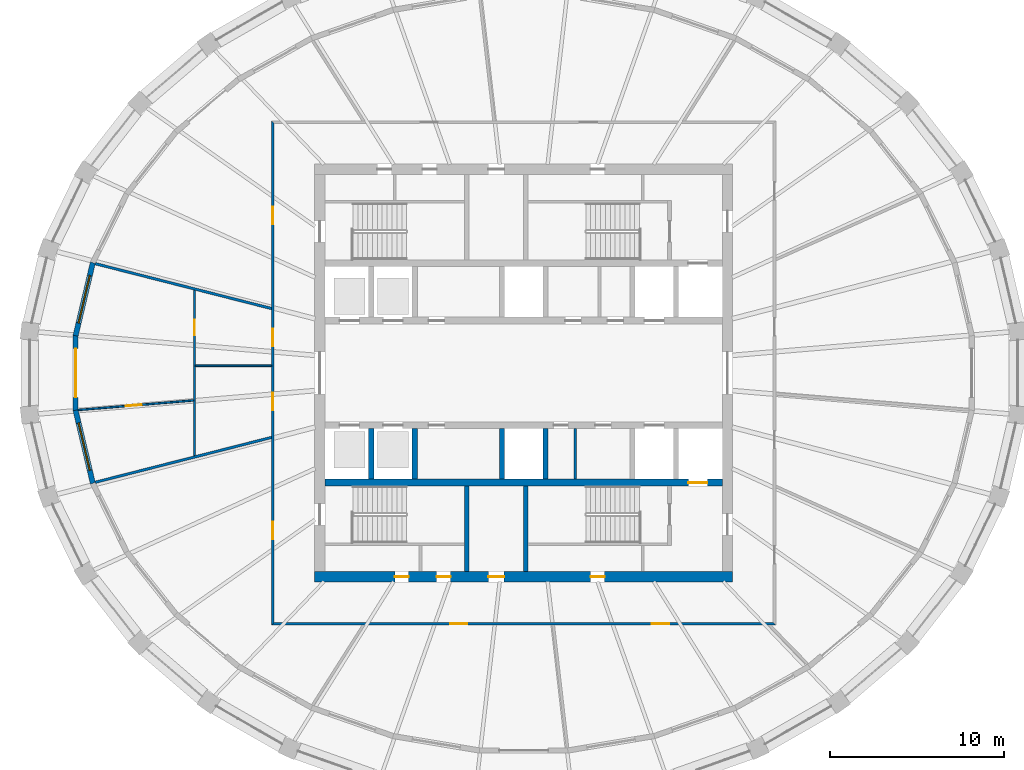
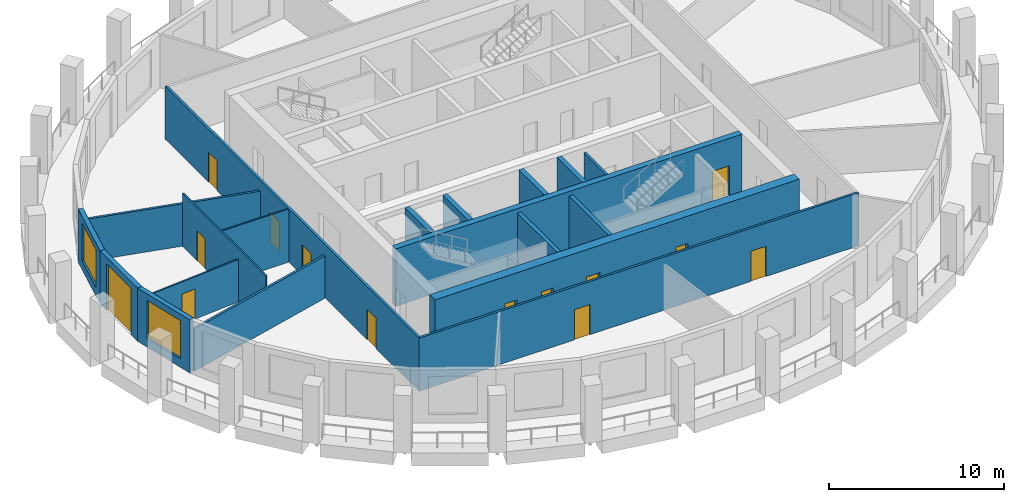
# One storey, part 3 of 10: 19 walls, 14 doors, 2 windows, 16 openings.
"""IFC4 building model written with IfcOpenShell, lengths in metres."""

from ifc_helpers import new_model, si_unit, direction, frame, frame_2d, origin, place, context, subcontext, project, spatial, polyline, rectangle, outline, extrude, material, layer, layer_set, type_object, element, fill, save


model = new_model("IFC4")

# Units and contexts
model_context = context("Model", 3, precision=1e-05, world=origin(), true_north=direction((0.0, 1.0)))
body_context = subcontext(model_context, "Body", "Model", "MODEL_VIEW")
ifc_project = project(units=[si_unit("LENGTHUNIT", "METRE"), si_unit("AREAUNIT", "SQUARE_METRE"), si_unit("VOLUMEUNIT", "CUBIC_METRE"), si_unit("PLANEANGLEUNIT", "RADIAN"), si_unit("MASSUNIT", "GRAM", prefix="KILO")], contexts=[model_context])

# Site, building, storey
site_placement = place(None, origin())
site = spatial("IfcSite", under=ifc_project, at=site_placement, CompositionType="ELEMENT")
building_placement = place(site_placement, origin())
building = spatial("IfcBuilding", under=site, at=building_placement, Name="Halqa Exchange Tower", CompositionType="ELEMENT")
storey_placement = place(building_placement, frame((0.0, 0.0, 320.300048828125)))
storey = spatial("IfcBuildingStorey", under=building, at=storey_placement, Name="L75", CompositionType="ELEMENT", Elevation=320.300048828125)

# Walls
ifc_material_1 = material(Name="Fire-rated gypsum board")
ifc_layer_1 = layer(ifc_material_1, 0.14990234375)
ifc_layer_set_1 = layer_set([ifc_layer_1], Name="Fire-rated gypsum board")
wall_type_1 = type_object("IfcWallType", Name="Fire partition EI 60 150", PredefinedType="PARTITIONING", material=ifc_layer_set_1)
wall_1_placement = place(storey_placement, frame((-24.5927734375, -6.274658203125, 0.0), z_axis=(0.0, 0.0, 1.0), x_axis=(0.969091390687, 0.246701999378, 0.0)))
element("IfcWall", 1, at=wall_1_placement, inside=storey, type_object=wall_type_1, Name="L75-PWL-001", PredefinedType="PARTITIONING", context=body_context, shape_type="SweptSolid", body=[
    extrude(outline(polyline([(0.013427734375, -0.074951171875), (1.748291015625, -0.074951171875), (3.48291015625, -0.074951171875), (5.217529296875, -0.074951171875), (6.9521484375, -0.074951171875), (8.686767578125, -0.074951171875), (10.42138671875, -0.074951171875), (10.459228515625, 0.07373046875), (10.459228515625, 0.074951171875), (8.95458984375, 0.074951171875), (7.44970703125, 0.074951171875), (5.945068359375, 0.074951171875), (5.944580078125, 0.072998046875), (5.9365234375, 0.074951171875), (3.95751953125, 0.074951171875), (1.978759765625, 0.074951171875), (0.0, 0.074951171875), (0.0, -0.010986328125), (0.013427734375, -0.074951171875)])), origin(), (0.0, 0.0, 1.0), 2.947021484375),
])
wall_2_placement = place(storey_placement, frame((-24.5927734375, 6.274658203125, 0.0), z_axis=(0.0, 0.0, 1.0), x_axis=(0.969091390687, -0.246701999378, 0.0)))
element("IfcWall", 2, at=wall_2_placement, inside=storey, type_object=wall_type_1, Name="L75-PWL-002", PredefinedType="PARTITIONING", context=body_context, shape_type="SweptSolid", body=[
    extrude(outline(polyline([(0.0, -0.074951171875), (1.978759765625, -0.074951171875), (3.95751953125, -0.074951171875), (5.9365234375, -0.074951171875), (5.944580078125, -0.072998046875), (5.945068359375, -0.074951171875), (7.44970703125, -0.074951171875), (8.95458984375, -0.074951171875), (10.459228515625, -0.074951171875), (10.459228515625, -0.07373046875), (10.42138671875, 0.074951171875), (8.686767578125, 0.074951171875), (6.9521484375, 0.074951171875), (5.217529296875, 0.074951171875), (3.48291015625, 0.074951171875), (1.748291015625, 0.074951171875), (0.013427734375, 0.074951171875), (0.0, 0.010986328125), (0.0, -0.074951171875)])), origin(), (0.0, 0.0, 1.0), 2.947021484375),
])

# Wall, openings, doors
wall_3_placement = place(storey_placement, frame((-14.39990234375, -14.47509765625, 0.0), z_axis=(0.0, 0.0, 1.0), x_axis=(0.0, 1.0, 0.0)))
wall_3 = element("IfcWall", 3, at=wall_3_placement, inside=storey, type_object=wall_type_1, Name="L75-PWL-006", PredefinedType="PARTITIONING", context=body_context, shape_type="SweptSolid", body=[
    extrude(outline(polyline([(0.150146484375, -0.074951171875), (2.06005859375, -0.074951171875), (3.97021484375, -0.074951171875), (5.880126953125, -0.074951171875), (7.7900390625, -0.074951171875), (9.7001953125, -0.074951171875), (11.610107421875, -0.074951171875), (13.52001953125, -0.074951171875), (15.43017578125, -0.074951171875), (17.340087890625, -0.074951171875), (19.25, -0.074951171875), (21.16015625, -0.074951171875), (23.070068359375, -0.074951171875), (24.97998046875, -0.074951171875), (26.89013671875, -0.074951171875), (28.800048828125, -0.074951171875), (28.949951171875, 0.074951171875), (27.02001953125, 0.074951171875), (25.090087890625, 0.074951171875), (23.159912109375, 0.074951171875), (21.22998046875, 0.074951171875), (19.300048828125, 0.074951171875), (17.3701171875, 0.074951171875), (15.440185546875, 0.074951171875), (13.510009765625, 0.074951171875), (11.580078125, 0.074951171875), (9.650146484375, 0.074951171875), (7.72021484375, 0.074951171875), (5.790283203125, 0.074951171875), (3.860107421875, 0.074951171875), (1.93017578125, 0.074951171875), (0.000244140625, 0.074951171875), (0.150146484375, -0.074951171875)])), origin(), (0.0, 0.0, 1.0), 3.699951171875),
])
opening_1_placement = place(wall_3_placement, frame((23.014892578125, 0.0, 0.0)))
opening_1 = element("IfcOpeningElement", 4, at=opening_1_placement, cuts=wall_3, Name="Opening 23-04", PredefinedType="OPENING", context=body_context, shape_type="SweptSolid", body=[
    extrude(rectangle(XDim=1.0, YDim=2.10009765625, at=frame_2d((0.5, 1.050048828125))), frame((0.0, 0.0869140625, 0.0), z_axis=(0.0, -1.0, 0.0), x_axis=(1.0, 0.0, 0.0)), (0.0, 0.0, 1.0), 0.173828125),
])
opening_2_placement = place(wall_3_placement, frame((12.340087890625, 0.0, 0.0)))
opening_2 = element("IfcOpeningElement", 5, at=opening_2_placement, cuts=wall_3, Name="Opening 23-05", PredefinedType="OPENING", context=body_context, shape_type="SweptSolid", body=[
    extrude(rectangle(XDim=1.0, YDim=2.10009765625, at=frame_2d((0.5, 1.050048828125))), frame((0.0, 0.0869140625, 0.0), z_axis=(0.0, -1.0, 0.0), x_axis=(1.0, 0.0, 0.0)), (0.0, 0.0, 1.0), 0.173828125),
])
opening_3_placement = place(wall_3_placement, frame((16.02001953125, 0.0, 0.0)))
opening_3 = element("IfcOpeningElement", 6, at=opening_3_placement, cuts=wall_3, Name="Opening 23-06", PredefinedType="OPENING", context=body_context, shape_type="SweptSolid", body=[
    extrude(rectangle(XDim=1.0, YDim=2.10009765625, at=frame_2d((0.5, 1.050048828125))), frame((0.0, 0.0869140625, 0.0), z_axis=(0.0, -1.0, 0.0), x_axis=(1.0, 0.0, 0.0)), (0.0, 0.0, 1.0), 0.173828125),
])
opening_4_placement = place(wall_3_placement, frame((4.93505859375, 0.0, 0.0)))
opening_4 = element("IfcOpeningElement", 7, at=opening_4_placement, cuts=wall_3, Name="Opening 23-07", PredefinedType="OPENING", context=body_context, shape_type="SweptSolid", body=[
    extrude(rectangle(XDim=1.0, YDim=2.10009765625, at=frame_2d((0.5, 1.050048828125))), frame((0.0, 0.0869140625, 0.0), z_axis=(0.0, -1.0, 0.0), x_axis=(1.0, 0.0, 0.0)), (0.0, 0.0, 1.0), 0.173828125),
])
ifc_material_2 = material(Name="Steel fire door leaf", Category="steel")
door_type_1 = type_object("IfcDoorType", Name="Fire door FD30S 1000 x 2100", OperationType="SINGLE_SWING_LEFT", PredefinedType="DOOR", material=ifc_material_2)
door_1_placement = place(opening_1_placement, origin())
door_1 = element("IfcDoor", 8, at=door_1_placement, inside=storey, type_object=door_type_1, Name="L75-IDR-004", OperationType="SINGLE_SWING_LEFT", OverallHeight=2.10009765625, OverallWidth=1.0, PredefinedType="DOOR", context=body_context, shape_type="SweptSolid", body=[
    extrude(rectangle(XDim=1.0, YDim=2.10009765625, at=frame_2d((0.5, 1.050048828125))), frame((0.0, 0.02490234375, 0.0), z_axis=(0.0, -1.0, 0.0), x_axis=(1.0, 0.0, 0.0)), (0.0, 0.0, 1.0), 0.050048828125),
])
fill(opening_1, door_1)
door_2_placement = place(opening_2_placement, origin())
door_2 = element("IfcDoor", 9, at=door_2_placement, inside=storey, type_object=door_type_1, Name="L75-IDR-005", OperationType="SINGLE_SWING_LEFT", OverallHeight=2.10009765625, OverallWidth=1.0, PredefinedType="DOOR", context=body_context, shape_type="SweptSolid", body=[
    extrude(rectangle(XDim=1.0, YDim=2.10009765625, at=frame_2d((0.5, 1.050048828125))), frame((0.0, 0.02490234375, 0.0), z_axis=(0.0, -1.0, 0.0), x_axis=(1.0, 0.0, 0.0)), (0.0, 0.0, 1.0), 0.050048828125),
])
fill(opening_2, door_2)
door_3_placement = place(opening_3_placement, origin())
door_3 = element("IfcDoor", 10, at=door_3_placement, inside=storey, type_object=door_type_1, Name="L75-IDR-006", OperationType="SINGLE_SWING_LEFT", OverallHeight=2.10009765625, OverallWidth=1.0, PredefinedType="DOOR", context=body_context, shape_type="SweptSolid", body=[
    extrude(rectangle(XDim=1.0, YDim=2.10009765625, at=frame_2d((0.5, 1.050048828125))), frame((0.0, 0.02490234375, 0.0), z_axis=(0.0, -1.0, 0.0), x_axis=(1.0, 0.0, 0.0)), (0.0, 0.0, 1.0), 0.050048828125),
])
fill(opening_3, door_3)
door_4_placement = place(opening_4_placement, origin())
door_4 = element("IfcDoor", 11, at=door_4_placement, inside=storey, type_object=door_type_1, Name="L75-IDR-007", OperationType="SINGLE_SWING_LEFT", OverallHeight=2.10009765625, OverallWidth=1.0, PredefinedType="DOOR", context=body_context, shape_type="SweptSolid", body=[
    extrude(rectangle(XDim=1.0, YDim=2.10009765625, at=frame_2d((0.5, 1.050048828125))), frame((0.0, 0.02490234375, 0.0), z_axis=(0.0, -1.0, 0.0), x_axis=(1.0, 0.0, 0.0)), (0.0, 0.0, 1.0), 0.050048828125),
])
fill(opening_4, door_4)

wall_4_placement = place(storey_placement, frame((-14.47509765625, -14.39990234375, 0.0), z_axis=(0.0, 0.0, 1.0), x_axis=(1.0, 0.0, 0.0)))
wall_4 = element("IfcWall", 12, at=wall_4_placement, inside=storey, type_object=wall_type_1, Name="L75-PWL-007", PredefinedType="PARTITIONING", context=body_context, shape_type="SweptSolid", body=[
    extrude(outline(polyline([(0.000244140625, -0.074951171875), (1.93017578125, -0.074951171875), (3.860107421875, -0.074951171875), (5.790283203125, -0.074951171875), (7.72021484375, -0.074951171875), (9.650146484375, -0.074951171875), (11.580078125, -0.074951171875), (13.510009765625, -0.074951171875), (15.440185546875, -0.074951171875), (17.3701171875, -0.074951171875), (19.300048828125, -0.074951171875), (21.22998046875, -0.074951171875), (23.159912109375, -0.074951171875), (25.090087890625, -0.074951171875), (27.02001953125, -0.074951171875), (28.949951171875, -0.074951171875), (28.800048828125, 0.074951171875), (26.89013671875, 0.074951171875), (24.97998046875, 0.074951171875), (23.070068359375, 0.074951171875), (21.16015625, 0.074951171875), (19.25, 0.074951171875), (17.340087890625, 0.074951171875), (15.43017578125, 0.074951171875), (13.52001953125, 0.074951171875), (11.610107421875, 0.074951171875), (9.7001953125, 0.074951171875), (7.7900390625, 0.074951171875), (5.880126953125, 0.074951171875), (3.97021484375, 0.074951171875), (2.06005859375, 0.074951171875), (0.150146484375, 0.074951171875), (0.000244140625, -0.074951171875)])), origin(), (0.0, 0.0, 1.0), 3.699951171875),
])
opening_5_placement = place(wall_4_placement, frame((10.2451171875, 0.0, 0.0)))
opening_5 = element("IfcOpeningElement", 13, at=opening_5_placement, cuts=wall_4, Name="Opening 23-08", PredefinedType="OPENING", context=body_context, shape_type="SweptSolid", body=[
    extrude(rectangle(XDim=1.0, YDim=2.10009765625, at=frame_2d((0.5, 1.050048828125))), frame((0.0, 0.0869140625, 0.0), z_axis=(0.0, -1.0, 0.0), x_axis=(1.0, 0.0, 0.0)), (0.0, 0.0, 1.0), 0.173828125),
])
opening_6_placement = place(wall_4_placement, frame((21.840087890625, 0.0, 0.0)))
opening_6 = element("IfcOpeningElement", 14, at=opening_6_placement, cuts=wall_4, Name="Opening 23-09", PredefinedType="OPENING", context=body_context, shape_type="SweptSolid", body=[
    extrude(rectangle(XDim=1.0, YDim=2.10009765625, at=frame_2d((0.5, 1.050048828125))), frame((0.0, 0.0869140625, 0.0), z_axis=(0.0, -1.0, 0.0), x_axis=(1.0, 0.0, 0.0)), (0.0, 0.0, 1.0), 0.173828125),
])
door_5_placement = place(opening_5_placement, frame((1.0, 0.0, 0.0), z_axis=(0.0, 0.0, 1.0), x_axis=(-1.0, 0.0, 0.0)))
door_5 = element("IfcDoor", 15, at=door_5_placement, inside=storey, type_object=door_type_1, Name="L75-IDR-008", OperationType="SINGLE_SWING_LEFT", OverallHeight=2.10009765625, OverallWidth=1.0, PredefinedType="DOOR", context=body_context, shape_type="SweptSolid", body=[
    extrude(rectangle(XDim=1.0, YDim=2.10009765625, at=frame_2d((0.5, 1.050048828125))), frame((0.0, 0.02490234375, 0.0), z_axis=(0.0, -1.0, 0.0), x_axis=(1.0, 0.0, 0.0)), (0.0, 0.0, 1.0), 0.050048828125),
])
fill(opening_5, door_5)
door_6_placement = place(opening_6_placement, frame((1.0, 0.0, 0.0), z_axis=(0.0, 0.0, 1.0), x_axis=(-1.0, 0.0, 0.0)))
door_6 = element("IfcDoor", 16, at=door_6_placement, inside=storey, type_object=door_type_1, Name="L75-IDR-009", OperationType="SINGLE_SWING_LEFT", OverallHeight=2.10009765625, OverallWidth=1.0, PredefinedType="DOOR", context=body_context, shape_type="SweptSolid", body=[
    extrude(rectangle(XDim=1.0, YDim=2.10009765625, at=frame_2d((0.5, 1.050048828125))), frame((0.0, 0.02490234375, 0.0), z_axis=(0.0, -1.0, 0.0), x_axis=(1.0, 0.0, 0.0)), (0.0, 0.0, 1.0), 0.050048828125),
])
fill(opening_6, door_6)

# Wall, opening, door
ifc_material_3 = material(Name="Gypsum board")
ifc_layer_2 = layer(ifc_material_3, 0.10009765625)
ifc_layer_set_2 = layer_set([ifc_layer_2], Name="Gypsum board")
wall_type_2 = type_object("IfcWallType", Name="Partition 100 gypsum", PredefinedType="PARTITIONING", material=ifc_layer_set_2)
wall_5_placement = place(storey_placement, frame((-18.89990234375, -4.760498046875, 0.0), z_axis=(0.0, 0.0, 1.0), x_axis=(0.0, 1.0, 0.0)))
wall_5 = element("IfcWall", 17, at=wall_5_placement, inside=storey, type_object=wall_type_2, Name="L75-PWL-003", PredefinedType="PARTITIONING", context=body_context, shape_type="SweptSolid", body=[
    extrude(outline(polyline([(0.025146484375, -0.050048828125), (1.7236328125, -0.050048828125), (3.422119140625, -0.050048828125), (5.12060546875, -0.050048828125), (5.12060546875, -0.0498046875), (5.220458984375, -0.0498046875), (5.220458984375, -0.050048828125), (6.6455078125, -0.050048828125), (8.07080078125, -0.050048828125), (9.495849609375, -0.050048828125), (9.52099609375, 0.048828125), (9.52099609375, 0.050048828125), (7.61669921875, 0.050048828125), (5.712646484375, 0.050048828125), (3.808349609375, 0.050048828125), (1.904296875, 0.050048828125), (0.0, 0.050048828125), (0.0, 0.048828125), (0.025146484375, -0.050048828125)])), origin(), (0.0, 0.0, 1.0), 3.699951171875),
])
opening_7_placement = place(wall_5_placement, frame((6.930419921875, 0.0, 0.0)))
opening_7 = element("IfcOpeningElement", 18, at=opening_7_placement, cuts=wall_5, Name="Opening 23-13", PredefinedType="OPENING", context=body_context, shape_type="SweptSolid", body=[
    extrude(rectangle(XDim=0.89990234375, YDim=2.10009765625, at=frame_2d((0.449951171875, 1.050048828125))), frame((0.0, 0.06201171875, 0.0), z_axis=(0.0, -1.0, 0.0), x_axis=(1.0, 0.0, 0.0)), (0.0, 0.0, 1.0), 0.1240234375),
])
ifc_material_4 = material(Name="Timber door leaf", Category="wood")
door_type_2 = type_object("IfcDoorType", Name="Door 900 x 2100", OperationType="SINGLE_SWING_LEFT", PredefinedType="DOOR", material=ifc_material_4)
door_7_placement = place(opening_7_placement, frame((0.89990234375, 0.0, 0.0), z_axis=(0.0, 0.0, 1.0), x_axis=(-1.0, 0.0, 0.0)))
door_7 = element("IfcDoor", 19, at=door_7_placement, inside=storey, type_object=door_type_2, Name="L75-IDR-013", OperationType="SINGLE_SWING_RIGHT", OverallHeight=2.10009765625, OverallWidth=0.89990234375, PredefinedType="DOOR", context=body_context, shape_type="SweptSolid", body=[
    extrude(rectangle(XDim=0.89990234375, YDim=2.10009765625, at=frame_2d((0.449951171875, 1.050048828125))), frame((0.0, 0.02490234375, 0.0), z_axis=(0.0, -1.0, 0.0), x_axis=(1.0, 0.0, 0.0)), (0.0, 0.0, 1.0), 0.050048828125),
])
fill(opening_7, door_7)

wall_6_placement = place(storey_placement, frame((-18.9462890625, -1.573974609375, 0.0), z_axis=(0.0, 0.0, 1.0), x_axis=(-0.996565232205, -0.082811460317, 0.0)))
wall_6 = element("IfcWall", 20, at=wall_6_placement, inside=storey, type_object=wall_type_2, Name="L75-PWL-004", PredefinedType="PARTITIONING", context=body_context, shape_type="SweptSolid", body=[
    extrude(outline(polyline([(6.648193359375, -0.050048828125), (6.648193359375, 0.022705078125), (6.64404296875, 0.050048828125), (4.985107421875, 0.050048828125), (3.325927734375, 0.050048828125), (1.6669921875, 0.050048828125), (0.0078125, 0.050048828125), (0.0, -0.044921875), (0.0, -0.050048828125), (1.662109375, -0.050048828125), (3.32421875, -0.050048828125), (4.986083984375, -0.050048828125), (6.648193359375, -0.050048828125)])), origin(), (0.0, 0.0, 1.0), 2.947021484375),
])
opening_8_placement = place(wall_6_placement, frame((3.005615234375, 0.0, 0.0)))
opening_8 = element("IfcOpeningElement", 21, at=opening_8_placement, cuts=wall_6, Name="Opening 23-14", PredefinedType="OPENING", context=body_context, shape_type="SweptSolid", body=[
    extrude(rectangle(XDim=0.89990234375, YDim=2.10009765625, at=frame_2d((0.449951171875, 1.050048828125))), frame((0.0, 0.06201171875, 0.0), z_axis=(0.0, -1.0, 0.0), x_axis=(1.0, 0.0, 0.0)), (0.0, 0.0, 1.0), 0.1240234375),
])
door_8_placement = place(opening_8_placement, origin())
door_8 = element("IfcDoor", 22, at=door_8_placement, inside=storey, type_object=door_type_2, Name="L75-IDR-014", OperationType="SINGLE_SWING_LEFT", OverallHeight=2.10009765625, OverallWidth=0.89990234375, PredefinedType="DOOR", context=body_context, shape_type="SweptSolid", body=[
    extrude(rectangle(XDim=0.89990234375, YDim=2.10009765625, at=frame_2d((0.449951171875, 1.050048828125))), frame((0.0, 0.02490234375, 0.0), z_axis=(0.0, -1.0, 0.0), x_axis=(1.0, 0.0, 0.0)), (0.0, 0.0, 1.0), 0.050048828125),
])
fill(opening_8, door_8)

# Walls
wall_7_placement = place(storey_placement, frame((-18.85009765625, 0.409912109375, 0.0), z_axis=(0.0, 0.0, 1.0), x_axis=(1.0, 0.0, 0.0)))
element("IfcWall", 23, at=wall_7_placement, inside=storey, type_object=wall_type_2, Name="L75-PWL-005", PredefinedType="PARTITIONING", context=body_context, shape_type="SweptSolid", body=[
    extrude(rectangle(XDim=4.375, YDim=0.10009765625, at=frame_2d((2.1875, 0.0))), origin(), (0.0, 0.0, 1.0), 3.699951171875),
])
ifc_layer_3 = layer(ifc_material_3, 0.14990234375)
ifc_layer_set_3 = layer_set([ifc_layer_3], Name="Gypsum board")
wall_type_3 = type_object("IfcWallType", Name="Penthouse riser wall 150 gypsum", PredefinedType="PARTITIONING", material=ifc_layer_set_3)
wall_8_placement = place(storey_placement, frame((2.949951171875, -6.10009765625, 0.0), z_axis=(0.0, 0.0, 1.0), x_axis=(0.0, 1.0, 0.0)))
element("IfcWall", 24, at=wall_8_placement, inside=storey, type_object=wall_type_3, Name="Freed bay partition SE2.950", PredefinedType="PARTITIONING", context=body_context, shape_type="SweptSolid", body=[
    extrude(rectangle(XDim=2.900146484375, YDim=0.14990234375, at=frame_2d((1.4501953125, 0.0))), origin(), (0.0, 0.0, 1.0), 3.699951171875),
])
ifc_material_5 = material(Name="Concrete C60/75", Category="concrete")
ifc_layer_4 = layer(ifc_material_5, 0.300048828125)
ifc_layer_set_4 = layer_set([ifc_layer_4], Name="Concrete C60/75")
wall_type_4 = type_object("IfcWallType", Name="RC core wall 300", PredefinedType="SHEAR", material=ifc_layer_set_4)
for number, where, z_axis, x_axis, name in (
    (25, (-8.75, -6.10009765625, 0.0), (0.0, 0.0, 1.0), (0.0, 1.0, 0.0), "Shaft divider S1"),
    (26, (-6.25, -6.10009765625, 0.0), (0.0, 0.0, 1.0), (0.0, 1.0, 0.0), "Shaft divider S2"),
    (27, (-1.25, -6.10009765625, 0.0), (0.0, 0.0, 1.0), (0.0, 1.0, 0.0), "Shaft divider S4"),
    (28, (1.25, -6.10009765625, 0.0), (0.0, 0.0, 1.0), (0.0, 1.0, 0.0), "Shaft divider S5"),
):
    element("IfcWall", number, at=place(storey_placement, frame(where, z_axis=z_axis, x_axis=x_axis)), inside=storey, type_object=wall_type_4, Name=name, PredefinedType="SHEAR", context=body_context, shape_type="SweptSolid", body=[
        extrude(rectangle(XDim=2.900146484375, YDim=0.300048828125, at=frame_2d((1.4501953125, 0.0))), origin(), (0.0, 0.0, 1.0), 4.0),
    ])

# Wall, opening, door
ifc_layer_5 = layer(ifc_material_5, 0.39990234375)
ifc_layer_set_5 = layer_set([ifc_layer_5], Name="Concrete C60/75")
wall_type_5 = type_object("IfcWallType", Name="RC core wall 400 C60/75", PredefinedType="SHEAR", material=ifc_layer_set_5)
wall_9_placement = place(storey_placement, frame((-11.39990234375, -6.300048828125, 0.0), z_axis=(0.0, 0.0, 1.0), x_axis=(1.0, 0.0, 0.0)))
wall_9 = element("IfcWall", 29, at=wall_9_placement, inside=storey, type_object=wall_type_5, Name="Lift row back wall S", PredefinedType="SHEAR", context=body_context, shape_type="SweptSolid", body=[
    extrude(rectangle(XDim=22.7998046875, YDim=0.39990234375, at=frame_2d((11.39990234375, 0.0))), origin(), (0.0, 0.0, 1.0), 4.0),
])
opening_9_placement = place(wall_9_placement, frame((20.85009765625, 0.0, 0.0)))
opening_9 = element("IfcOpeningElement", 30, at=opening_9_placement, cuts=wall_9, Name="Opening LD-FF2-T23", PredefinedType="OPENING", context=body_context, shape_type="SweptSolid", body=[
    extrude(rectangle(XDim=1.10009765625, YDim=2.10009765625, at=frame_2d((0.550048828125, 1.050048828125))), frame((0.0, 0.2119140625, 0.0), z_axis=(0.0, -1.0, 0.0), x_axis=(1.0, 0.0, 0.0)), (0.0, 0.0, 1.0), 0.423828125),
])
ifc_material_6 = material(Name="Stainless steel", Category="steel")
door_type_3 = type_object("IfcDoorType", Name="Lift landing door 1100 x 2100", OperationType="SLIDING_TO_LEFT", PredefinedType="DOOR", material=ifc_material_6)
door_9_placement = place(opening_9_placement, origin())
door_9 = element("IfcDoor", 31, at=door_9_placement, inside=storey, type_object=door_type_3, Name="Lift landing door FF2", OperationType="SLIDING_TO_LEFT", OverallHeight=2.10009765625, OverallWidth=1.10009765625, PredefinedType="DOOR", context=body_context, shape_type="SweptSolid", body=[
    extrude(rectangle(XDim=1.10009765625, YDim=2.10009765625, at=frame_2d((0.550048828125, 1.050048828125))), frame((0.0, 0.02490234375, 0.0), z_axis=(0.0, -1.0, 0.0), x_axis=(1.0, 0.0, 0.0)), (0.0, 0.0, 1.0), 0.050048828125),
])
fill(opening_9, door_9)

# Wall, openings, doors
ifc_layer_6 = layer(ifc_material_5, 0.60009765625)
ifc_layer_set_6 = layer_set([ifc_layer_6], Name="Concrete C60/75")
wall_type_6 = type_object("IfcWallType", Name="RC core wall 600 C60/75", PredefinedType="SHEAR", material=ifc_layer_set_6)
wall_10_placement = place(storey_placement, frame((-12.0, -11.699951171875, 0.0), z_axis=(0.0, 0.0, 1.0), x_axis=(1.0, 0.0, 0.0)))
wall_10 = element("IfcWall", 32, at=wall_10_placement, inside=storey, type_object=wall_type_6, Name="Core wall south", PredefinedType="SHEAR", context=body_context, shape_type="SweptSolid", body=[
    extrude(rectangle(XDim=24.0, YDim=0.60009765625, at=frame_2d((12.0, 0.0))), origin(), (0.0, 0.0, 1.0), 4.0),
])
opening_10_placement = place(wall_10_placement, frame((9.97509765625, 0.0, 0.0)))
opening_10 = element("IfcOpeningElement", 33, at=opening_10_placement, cuts=wall_10, Name="Opening T23-C21", PredefinedType="OPENING", context=body_context, shape_type="SweptSolid", body=[
    extrude(rectangle(XDim=0.89990234375, YDim=2.10009765625, at=frame_2d((0.449951171875, 1.050048828125))), frame((0.0, 0.31201171875, 0.0), z_axis=(0.0, -1.0, 0.0), x_axis=(1.0, 0.0, 0.0)), (0.0, 0.0, 1.0), 0.6240234375),
])
opening_11_placement = place(wall_10_placement, frame((4.60009765625, 0.0, 0.0)))
opening_11 = element("IfcOpeningElement", 34, at=opening_11_placement, cuts=wall_10, Name="Opening T23-C22", PredefinedType="OPENING", context=body_context, shape_type="SweptSolid", body=[
    extrude(rectangle(XDim=0.800048828125, YDim=2.10009765625, at=frame_2d((0.39990234375, 1.050048828125))), frame((0.0, 0.31201171875, 0.0), z_axis=(0.0, -1.0, 0.0), x_axis=(1.0, 0.0, 0.0)), (0.0, 0.0, 1.0), 0.6240234375),
])
opening_12_placement = place(wall_10_placement, frame((7.0, 0.0, 0.0)))
opening_12 = element("IfcOpeningElement", 35, at=opening_12_placement, cuts=wall_10, Name="Opening T23-C23", PredefinedType="OPENING", context=body_context, shape_type="SweptSolid", body=[
    extrude(rectangle(XDim=0.800048828125, YDim=2.10009765625, at=frame_2d((0.39990234375, 1.050048828125))), frame((0.0, 0.31201171875, 0.0), z_axis=(0.0, -1.0, 0.0), x_axis=(1.0, 0.0, 0.0)), (0.0, 0.0, 1.0), 0.6240234375),
])
opening_13_placement = place(wall_10_placement, frame((15.85009765625, 0.0, 0.0)))
opening_13 = element("IfcOpeningElement", 36, at=opening_13_placement, cuts=wall_10, Name="Opening T23-C24", PredefinedType="OPENING", context=body_context, shape_type="SweptSolid", body=[
    extrude(rectangle(XDim=0.800048828125, YDim=2.10009765625, at=frame_2d((0.39990234375, 1.050048828125))), frame((0.0, 0.31201171875, 0.0), z_axis=(0.0, -1.0, 0.0), x_axis=(1.0, 0.0, 0.0)), (0.0, 0.0, 1.0), 0.6240234375),
])
ifc_material_7 = material(Name="Timber fire door leaf", Category="wood")
door_type_4 = type_object("IfcDoorType", Name="Core room door FD30 900 x 2100", OperationType="SINGLE_SWING_LEFT", PredefinedType="DOOR", material=ifc_material_7)
door_10_placement = place(opening_10_placement, origin())
door_10 = element("IfcDoor", 37, at=door_10_placement, inside=storey, type_object=door_type_4, Name="Core room door", OperationType="SINGLE_SWING_LEFT", OverallHeight=2.10009765625, OverallWidth=0.89990234375, PredefinedType="DOOR", context=body_context, shape_type="SweptSolid", body=[
    extrude(rectangle(XDim=0.89990234375, YDim=2.10009765625, at=frame_2d((0.449951171875, 1.050048828125))), frame((0.0, 0.02490234375, 0.0), z_axis=(0.0, -1.0, 0.0), x_axis=(1.0, 0.0, 0.0)), (0.0, 0.0, 1.0), 0.050048828125),
])
fill(opening_10, door_10)
door_type_5 = type_object("IfcDoorType", Name="Riser door FD60 800 x 2100", OperationType="SINGLE_SWING_LEFT", PredefinedType="DOOR", material=ifc_material_2)
door_11_placement = place(opening_11_placement, origin())
door_11 = element("IfcDoor", 38, at=door_11_placement, inside=storey, type_object=door_type_5, Name="Core room door", OperationType="SINGLE_SWING_LEFT", OverallHeight=2.10009765625, OverallWidth=0.800048828125, PredefinedType="DOOR", context=body_context, shape_type="SweptSolid", body=[
    extrude(rectangle(XDim=0.800048828125, YDim=2.10009765625, at=frame_2d((0.39990234375, 1.050048828125))), frame((0.0, 0.02490234375, 0.0), z_axis=(0.0, -1.0, 0.0), x_axis=(1.0, 0.0, 0.0)), (0.0, 0.0, 1.0), 0.050048828125),
])
fill(opening_11, door_11)
door_12_placement = place(opening_12_placement, origin())
door_12 = element("IfcDoor", 39, at=door_12_placement, inside=storey, type_object=door_type_5, Name="Core room door", OperationType="SINGLE_SWING_LEFT", OverallHeight=2.10009765625, OverallWidth=0.800048828125, PredefinedType="DOOR", context=body_context, shape_type="SweptSolid", body=[
    extrude(rectangle(XDim=0.800048828125, YDim=2.10009765625, at=frame_2d((0.39990234375, 1.050048828125))), frame((0.0, 0.02490234375, 0.0), z_axis=(0.0, -1.0, 0.0), x_axis=(1.0, 0.0, 0.0)), (0.0, 0.0, 1.0), 0.050048828125),
])
fill(opening_12, door_12)
door_13_placement = place(opening_13_placement, origin())
door_13 = element("IfcDoor", 40, at=door_13_placement, inside=storey, type_object=door_type_5, Name="Core room door", OperationType="SINGLE_SWING_LEFT", OverallHeight=2.10009765625, OverallWidth=0.800048828125, PredefinedType="DOOR", context=body_context, shape_type="SweptSolid", body=[
    extrude(rectangle(XDim=0.800048828125, YDim=2.10009765625, at=frame_2d((0.39990234375, 1.050048828125))), frame((0.0, 0.02490234375, 0.0), z_axis=(0.0, -1.0, 0.0), x_axis=(1.0, 0.0, 0.0)), (0.0, 0.0, 1.0), 0.050048828125),
])
fill(opening_13, door_13)

# Walls
ifc_material_8 = material(Name="Concrete C30/37", Category="concrete")
ifc_layer_7 = layer(ifc_material_8, 0.25)
ifc_layer_set_7 = layer_set([ifc_layer_7], Name="Concrete C30/37")
wall_type_7 = type_object("IfcWallType", Name="RC stair wall 250 C30/37", PredefinedType="SHEAR", material=ifc_layer_set_7)
for number, where, z_axis, x_axis, name in (
    (41, (-3.27490234375, -11.39990234375, 0.0), (0.0, 0.0, 1.0), (0.0, 1.0, 0.0), "Stair ST1 east wall S"),
    (42, (0.125, -11.39990234375, 0.0), (0.0, 0.0, 1.0), (0.0, 1.0, 0.0), "Stair ST2 west wall S"),
):
    element("IfcWall", number, at=place(storey_placement, frame(where, z_axis=z_axis, x_axis=x_axis)), inside=storey, type_object=wall_type_7, Name=name, PredefinedType="SHEAR", context=body_context, shape_type="SweptSolid", body=[
        extrude(rectangle(XDim=4.89990234375, YDim=0.25, at=frame_2d((2.449951171875, 0.0))), origin(), (0.0, 0.0, 1.0), 3.699951171875),
    ])

# Wall, opening, window
ifc_material_9 = material(Name="Limestone cladding", Category="masonry")
ifc_layer_8 = layer(ifc_material_9, 0.0400390625)
ifc_material_10 = material(Name="Ventilated cavity")
ifc_layer_9 = layer(ifc_material_10, 0.030029296875, ventilated=True)
ifc_material_11 = material(Name="Mineral wool insulation")
ifc_layer_10 = layer(ifc_material_11, 0.10009765625)
ifc_layer_11 = layer(ifc_material_8, 0.10009765625)
ifc_material_12 = material(Name="Internal plaster")
ifc_layer_12 = layer(ifc_material_12, 0.030029296875)
ifc_layer_set_8 = layer_set([ifc_layer_8, ifc_layer_9, ifc_layer_10, ifc_layer_11, ifc_layer_12], Name="Stone-faced insulated wall 300")
wall_type_8 = type_object("IfcWallType", Name="Stone-faced insulated wall 300", PredefinedType="STANDARD", material=ifc_layer_set_8)
wall_11_placement = place(storey_placement, frame((-24.735595703125, 6.32958984375, 0.0), z_axis=(0.0, 0.0, 1.0), x_axis=(-0.229993247212, -0.97319222471, 0.0)))
wall_11 = element("IfcWall", 43, at=wall_11_placement, inside=storey, type_object=wall_type_8, Name="Glass-line wall 15", PredefinedType="STANDARD", context=body_context, shape_type="SweptSolid", body=[
    extrude(outline(polyline([(-0.01708984375, -0.14990234375), (4.3251953125, -0.14990234375), (4.2900390625, 0.14990234375), (0.01708984375, 0.14990234375), (-0.01708984375, -0.14990234375)])), origin(), (0.0, 0.0, 1.0), 3.699951171875),
])
opening_14_placement = place(wall_11_placement, frame((0.753662109375, 0.0, 0.60009765625)))
opening_14 = element("IfcOpeningElement", 44, at=opening_14_placement, cuts=wall_11, Name="Opening W-F4-15", PredefinedType="OPENING", context=body_context, shape_type="SweptSolid", body=[
    extrude(rectangle(XDim=2.800048828125, YDim=2.64990234375, at=frame_2d((1.39990234375, 1.324951171875))), frame((0.0, 0.162109375, 0.0), z_axis=(0.0, -1.0, 0.0), x_axis=(1.0, 0.0, 0.0)), (0.0, 0.0, 1.0), 0.323974609375),
])
ifc_material_13 = material(Name="Clear low-emissivity glass in aluminium frame", Category="aluminium")
window_type = type_object("IfcWindowType", Name="Fixed clear glazed window 2800 x 2650", PartitioningType="DOUBLE_PANEL_VERTICAL", PredefinedType="WINDOW", material=ifc_material_13)
window_1_placement = place(opening_14_placement, origin())
window_1 = element("IfcWindow", 45, at=window_1_placement, inside=storey, type_object=window_type, Name="Window 4", OverallHeight=2.64990234375, OverallWidth=2.800048828125, PartitioningType="DOUBLE_PANEL_VERTICAL", PredefinedType="WINDOW", context=body_context, shape_type="SweptSolid", body=[
    extrude(rectangle(XDim=2.800048828125, YDim=2.64990234375, at=frame_2d((1.39990234375, 1.324951171875))), frame((0.0, 0.030029296875, 0.0), z_axis=(0.0, -1.0, 0.0), x_axis=(1.0, 0.0, 0.0)), (0.0, 0.0, 1.0), 0.06005859375),
])
fill(opening_14, window_1)

# Wall, opening, door
wall_12_placement = place(storey_placement, frame((-25.726318359375, 2.137451171875, 0.0), z_axis=(0.0, 0.0, 1.0), x_axis=(0.0, -1.0, 0.0)))
wall_12 = element("IfcWall", 46, at=wall_12_placement, inside=storey, type_object=wall_type_8, Name="Glass-line wall 16", PredefinedType="STANDARD", context=body_context, shape_type="SweptSolid", body=[
    extrude(outline(polyline([(-0.017578125, -0.14990234375), (4.29248046875, -0.14990234375), (4.25732421875, 0.14990234375), (0.017578125, 0.14990234375), (-0.017578125, -0.14990234375)])), origin(), (0.0, 0.0, 1.0), 3.699951171875),
])
opening_15_placement = place(wall_12_placement, frame((0.737548828125, 0.0, 0.0)))
opening_15 = element("IfcOpeningElement", 47, at=opening_15_placement, cuts=wall_12, Name="Opening LG-F4-04", PredefinedType="OPENING", context=body_context, shape_type="SweptSolid", body=[
    extrude(rectangle(XDim=2.800048828125, YDim=3.25, at=frame_2d((1.39990234375, 1.625))), frame((0.0, 0.162109375, 0.0), z_axis=(0.0, -1.0, 0.0), x_axis=(1.0, 0.0, 0.0)), (0.0, 0.0, 1.0), 0.323974609375),
])
door_type_6 = type_object("IfcDoorType", Name="Glazed sliding loggia door 2800 x 3250", OperationType="DOUBLE_DOOR_SLIDING", PredefinedType="DOOR", material=ifc_material_13)
door_14_placement = place(opening_15_placement, origin())
door_14 = element("IfcDoor", 48, at=door_14_placement, inside=storey, type_object=door_type_6, Name="Loggia door 4", OperationType="DOUBLE_DOOR_SLIDING", OverallHeight=3.25, OverallWidth=2.800048828125, PredefinedType="DOOR", context=body_context, shape_type="SweptSolid", body=[
    extrude(rectangle(XDim=2.800048828125, YDim=3.25, at=frame_2d((1.39990234375, 1.625))), frame((0.0, 0.02490234375, 0.0), z_axis=(0.0, -1.0, 0.0), x_axis=(1.0, 0.0, 0.0)), (0.0, 0.0, 1.0), 0.050048828125),
])
fill(opening_15, door_14)

# Wall, opening, window
wall_13_placement = place(storey_placement, frame((-25.726318359375, -2.137451171875, 0.0), z_axis=(0.0, 0.0, 1.0), x_axis=(0.229993247212, -0.97319222471, 0.0)))
wall_13 = element("IfcWall", 49, at=wall_13_placement, inside=storey, type_object=wall_type_8, Name="Glass-line wall 17", PredefinedType="STANDARD", context=body_context, shape_type="SweptSolid", body=[
    extrude(outline(polyline([(-0.017578125, -0.14990234375), (4.32470703125, -0.14990234375), (4.29052734375, 0.14990234375), (0.017578125, 0.14990234375), (-0.017578125, -0.14990234375)])), origin(), (0.0, 0.0, 1.0), 3.699951171875),
])
opening_16_placement = place(wall_13_placement, frame((0.753662109375, 0.0, 0.60009765625)))
opening_16 = element("IfcOpeningElement", 50, at=opening_16_placement, cuts=wall_13, Name="Opening W-F4-17", PredefinedType="OPENING", context=body_context, shape_type="SweptSolid", body=[
    extrude(rectangle(XDim=2.800048828125, YDim=2.64990234375, at=frame_2d((1.39990234375, 1.324951171875))), frame((0.0, 0.162109375, 0.0), z_axis=(0.0, -1.0, 0.0), x_axis=(1.0, 0.0, 0.0)), (0.0, 0.0, 1.0), 0.323974609375),
])
window_2_placement = place(opening_16_placement, origin())
window_2 = element("IfcWindow", 51, at=window_2_placement, inside=storey, type_object=window_type, Name="Window 4", OverallHeight=2.64990234375, OverallWidth=2.800048828125, PartitioningType="DOUBLE_PANEL_VERTICAL", PredefinedType="WINDOW", context=body_context, shape_type="SweptSolid", body=[
    extrude(rectangle(XDim=2.800048828125, YDim=2.64990234375, at=frame_2d((1.39990234375, 1.324951171875))), frame((0.0, 0.030029296875, 0.0), z_axis=(0.0, -1.0, 0.0), x_axis=(1.0, 0.0, 0.0)), (0.0, 0.0, 1.0), 0.06005859375),
])
fill(opening_16, window_2)

save(model, "model.ifc")
